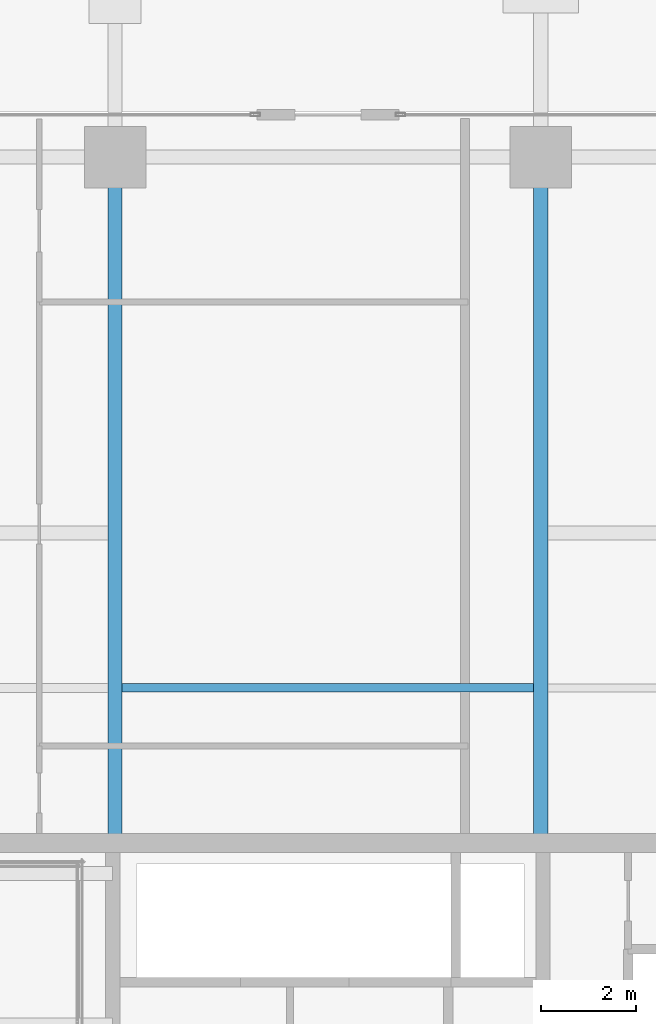
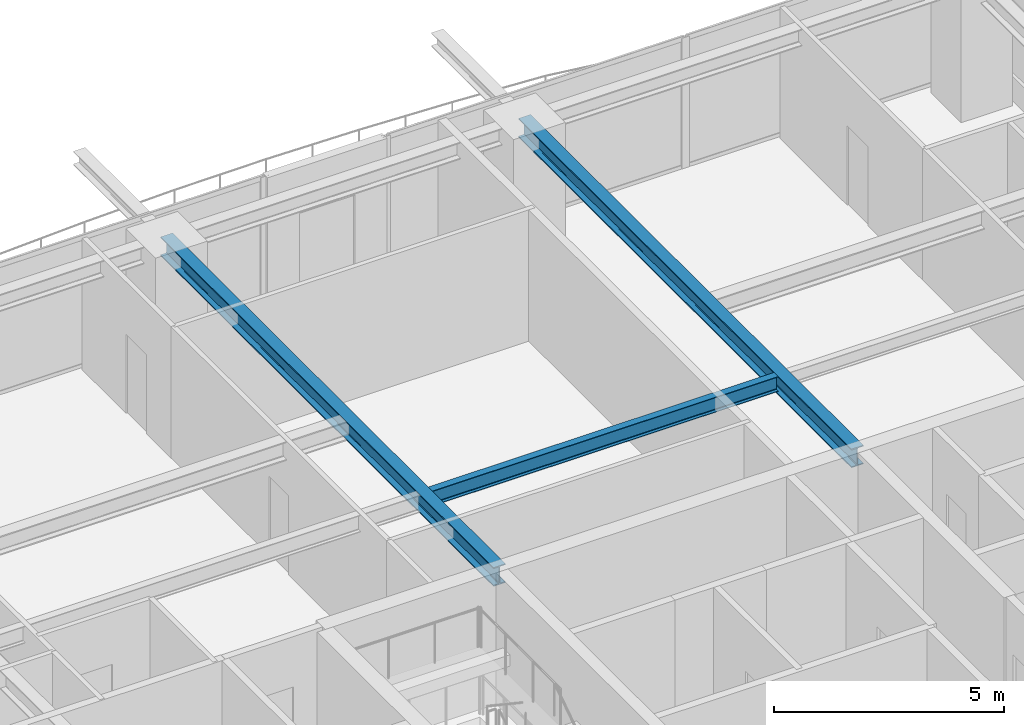
# One storey, part 17 of 33: 3 beams.
"""IFC4 building model written with IfcOpenShell, lengths in metres."""

from ifc_helpers import new_model, si_unit, direction, frame, origin, origin_2d, place, context, subcontext, project, spatial, i_section, extrude, source, transform, mapped, material, material_profile, profile_set, type_object, element, save


model = new_model("IFC4")

# Units and contexts
model_context = context("Model", 3, precision=1e-05, world=origin(), true_north=direction((0.0, 1.0)))
body_context = subcontext(model_context, "Body", "Model", "MODEL_VIEW")
ifc_project = project(units=[si_unit("LENGTHUNIT", "METRE"), si_unit("AREAUNIT", "SQUARE_METRE"), si_unit("VOLUMEUNIT", "CUBIC_METRE"), si_unit("PLANEANGLEUNIT", "RADIAN"), si_unit("MASSUNIT", "GRAM", prefix="KILO")], contexts=[model_context])

# Site, building, storey
site_placement = place(None, origin())
site = spatial("IfcSite", under=ifc_project, at=site_placement, CompositionType="ELEMENT")
building_placement = place(site_placement, origin())
building = spatial("IfcBuilding", under=site, at=building_placement, Name="Serunith Strait Residences", CompositionType="ELEMENT")
storey_placement = place(building_placement, frame((0.0, 0.0, 150.14990234375)))
storey = spatial("IfcBuildingStorey", under=building, at=storey_placement, Name="L37", CompositionType="ELEMENT", Elevation=150.14990234375)

# Beams
ifc_material = material(Name="Steel S355J2", Category="steel")
ifc_material_profile_1 = material_profile(ifc_material, i_section(OverallWidth=0.179931640625, OverallDepth=0.39990234375, WebThickness=0.008544921875, FlangeThickness=0.013427734375, FilletRadius=0.02099609375, at=origin_2d()), Name="IPE 400")
ifc_profile_set_1 = profile_set([ifc_material_profile_1], Name="Steel S355J2")
beam_type_1 = type_object("IfcBeamType", Name="BM-IPE400", PredefinedType="JOIST", material=ifc_profile_set_1)
shared_shape_1 = source(origin(), body_context, "Body", "SweptSolid", [
    extrude(i_section(OverallWidth=0.179931640625, OverallDepth=0.39990234375, WebThickness=0.008544921875, FlangeThickness=0.013427734375, FilletRadius=0.02099609375, at=origin_2d()), origin(), (0.0, 0.0, 1.0), 8.699951171875),
])
beam_placement = place(storey_placement, frame((28.050048828125, 36.875, 3.287109375), z_axis=(1.0, 0.0, 0.0), x_axis=(0.0, 1.0, 0.0)))
element("IfcBeam", 1, at=beam_placement, inside=storey, type_object=beam_type_1, Name="L37 Composite Floor Joist 05", PredefinedType="JOIST", context=body_context, shape_type="MappedRepresentation", body=[
    mapped(shared_shape_1, transform((0.0, 0.0, 0.0), scale=1.0)),
])
ifc_material_profile_2 = material_profile(ifc_material, i_section(OverallWidth=0.300048828125, OverallDepth=0.5, WebThickness=0.014404296875, FlangeThickness=0.028076171875, FilletRadius=0.027099609375, at=origin_2d()), Name="HEB 500")
ifc_profile_set_2 = profile_set([ifc_material_profile_2], Name="Steel S355J2")
beam_type_2 = type_object("IfcBeamType", Name="BM-HEB500", PredefinedType="BEAM", material=ifc_profile_set_2)
shared_shape_2 = source(origin(), body_context, "Body", "SweptSolid", [
    extrude(i_section(OverallWidth=0.300048828125, OverallDepth=0.5, WebThickness=0.014404296875, FlangeThickness=0.028076171875, FilletRadius=0.027099609375, at=origin_2d()), origin(), (0.0, 0.0, 1.0), 14.5),
])
for number, where, z_axis, x_axis, name in (
    (2, (27.89990234375, 33.60009765625, 3.237060546875), (0.0, 1.0, 0.0), (-1.0, 0.0, 0.0), "L37 Primary Floor Girder TC-N2"),
    (3, (36.89990234375, 33.60009765625, 3.237060546875), (0.0, 1.0, 0.0), (-1.0, 0.0, 0.0), "L37 Primary Floor Girder TC-N3"),
):
    element("IfcBeam", number, at=place(storey_placement, frame(where, z_axis=z_axis, x_axis=x_axis)), inside=storey, type_object=beam_type_2, Name=name, PredefinedType="BEAM", context=body_context, shape_type="MappedRepresentation", body=[
        mapped(shared_shape_2, transform((0.0, 0.0, 0.0), scale=1.0)),
    ])

save(model, "model.ifc")
